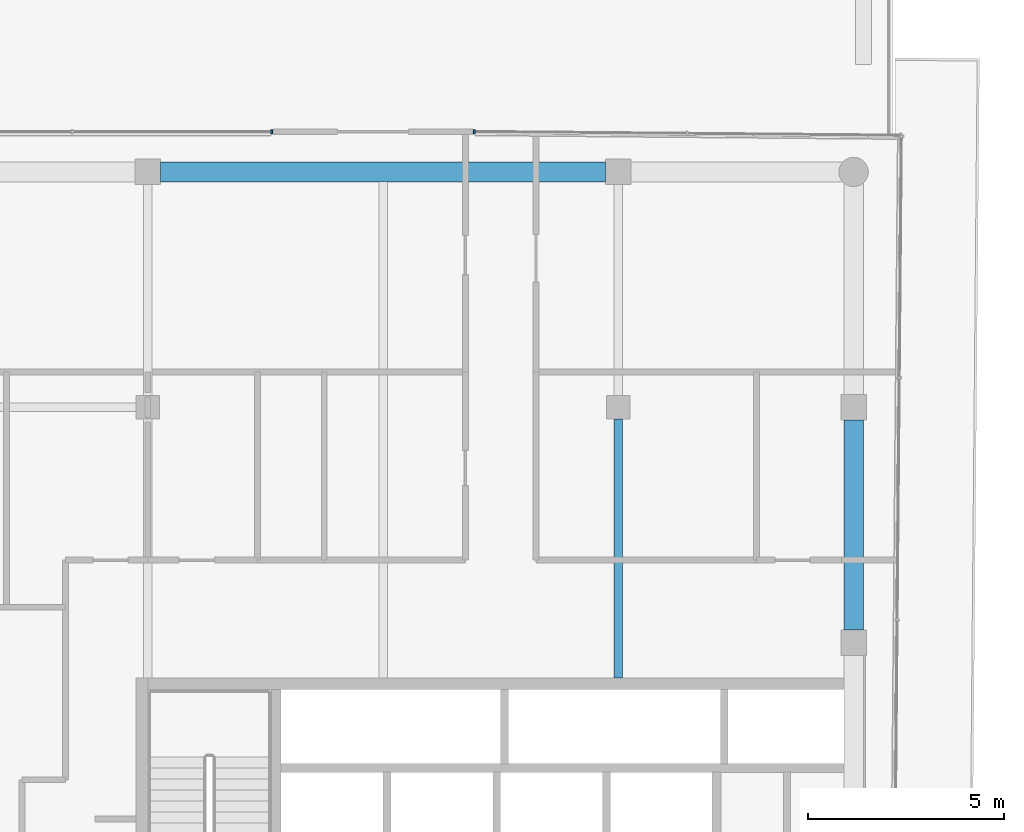
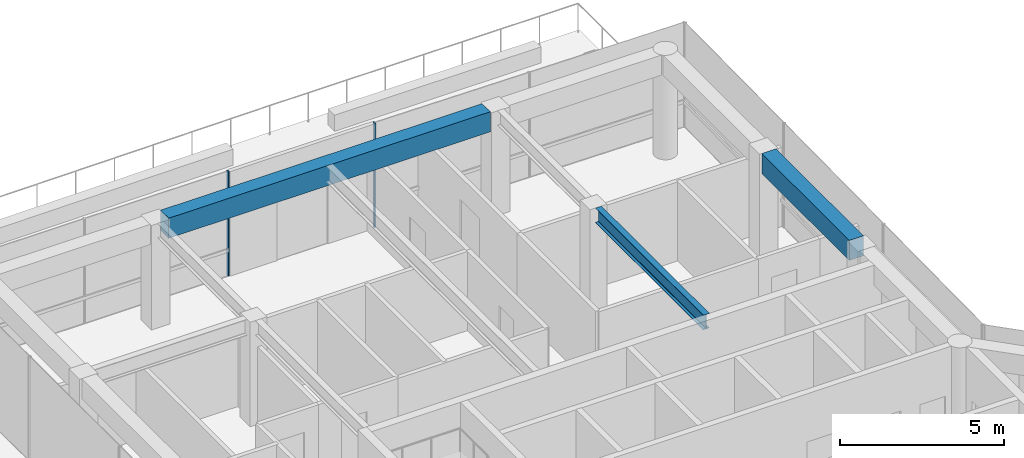
# One storey, part 10 of 17: 3 beams, 2 members, 2 elements without a shape of their own.
"""IFC4 building model written with IfcOpenShell, lengths in metres."""

from ifc_helpers import new_model, si_unit, direction, frame, origin, origin_2d, place, context, subcontext, project, spatial, rectangle, i_section, extrude, material, layer, layer_set, material_profile, profile_set, type_object, element, aggregate, save


model = new_model("IFC4")

# Units and contexts
model_context = context("Model", 3, precision=1e-05, world=origin(), true_north=direction((0.0, 1.0)))
body_context = subcontext(model_context, "Body", "Model", "MODEL_VIEW")
ifc_project = project(units=[si_unit("LENGTHUNIT", "METRE"), si_unit("AREAUNIT", "SQUARE_METRE"), si_unit("VOLUMEUNIT", "CUBIC_METRE"), si_unit("PLANEANGLEUNIT", "RADIAN"), si_unit("MASSUNIT", "GRAM", prefix="KILO")], contexts=[model_context])

# Site, building, storey
site_placement = place(None, origin())
site = spatial("IfcSite", under=ifc_project, at=site_placement, CompositionType="ELEMENT")
building_placement = place(site_placement, origin())
building = spatial("IfcBuilding", under=site, at=building_placement, Name="Welwitschia Terrace Campus", CompositionType="ELEMENT")
storey_placement = place(building_placement, frame((0.0, 0.0, 335.60009765625)))
storey = spatial("IfcBuildingStorey", under=building, at=storey_placement, Name="L75", CompositionType="ELEMENT", Elevation=335.60009765625)

# Beam
ifc_material_1 = material(Name="Steel S355", Category="steel")
ifc_material_profile_1 = material_profile(ifc_material_1, i_section(OverallWidth=0.2099609375, OverallDepth=0.550048828125, WebThickness=0.010986328125, FlangeThickness=0.01708984375, FilletRadius=0.02392578125, at=origin_2d()))
ifc_profile_set_1 = profile_set([ifc_material_profile_1], Name="Steel S355")
beam_type_1 = type_object("IfcBeamType", Name="Interior girder IPE 550", PredefinedType="BEAM", material=ifc_profile_set_1)
beam_1_placement = place(storey_placement, frame((18.0, 25.10107421875, 3.625), z_axis=(0.0, 1.0, 0.0), x_axis=(-1.0, 0.0, 0.0)))
element("IfcBeam", 1, at=beam_1_placement, inside=storey, type_object=beam_type_1, Name="Girder GB7", PredefinedType="BEAM", context=body_context, shape_type="SweptSolid", body=[
    extrude(i_section(OverallWidth=0.2099609375, OverallDepth=0.550048828125, WebThickness=0.010986328125, FlangeThickness=0.01708984375, FilletRadius=0.02392578125, at=origin_2d()), origin(), (0.0, 0.0, 1.0), 6.598388671875),
])

# Curtain wall, member
ifc_material_2 = material(Name="Bronze anodised aluminium", Category="aluminium")
ifc_layer = layer(ifc_material_2, 0.10009765625)
ifc_layer_set = layer_set([ifc_layer], Name="Bronze anodised aluminium")
curtain_wall_type = type_object("IfcCurtainWallType", Name="Curtain wall CW5 crown 6000", PredefinedType="NOTDEFINED", material=ifc_layer_set)
curtain_wall_1_placement = place(storey_placement, origin())
curtain_wall_1 = element("IfcCurtainWall", 2, at=curtain_wall_1_placement, inside=storey, type_object=curtain_wall_type, Name="CW L75.0.1", PredefinedType="NOTDEFINED")
ifc_material_3 = material(Name="Bronze anodised aluminium", Category="aluminium")
ifc_material_profile_2 = material_profile(ifc_material_3, rectangle(XDim=0.10009765625, YDim=0.050048828125, at=origin_2d()))
ifc_profile_set_2 = profile_set([ifc_material_profile_2], Name="Bronze anodised aluminium")
member_type = type_object("IfcMemberType", Name="Mullion 50x100", PredefinedType="MULLION", material=ifc_profile_set_2)
member_1_placement = place(storey_placement, frame((9.162841796875, 39.030029296875, 0.0), z_axis=(0.0, 0.0, 1.0), x_axis=(0.0, -1.0, 0.0)))
member_1 = element("IfcMember", 3, at=member_1_placement, type_object=member_type, Name="Mullion L75.0.1.0", PredefinedType="MULLION", context=body_context, shape_type="SweptSolid", body=[
    extrude(rectangle(XDim=0.10009765625, YDim=0.050048828125, at=origin_2d()), origin(), (0.0, 0.0, 1.0), 3.89990234375),
])
aggregate(curtain_wall_1, [member_1])

curtain_wall_2_placement = place(storey_placement, origin())
curtain_wall_2 = element("IfcCurtainWall", 4, at=curtain_wall_2_placement, inside=storey, type_object=curtain_wall_type, Name="CW L75.9.0", PredefinedType="NOTDEFINED")
member_2_placement = place(storey_placement, frame((14.32177734375, 39.02978515625, 0.0), z_axis=(0.0, 0.0, 1.0), x_axis=(-0.008726535498, -0.999961923064, 0.0)))
member_2 = element("IfcMember", 5, at=member_2_placement, type_object=member_type, Name="Mullion L75.9.0.2", PredefinedType="MULLION", context=body_context, shape_type="SweptSolid", body=[
    extrude(rectangle(XDim=0.10009765625, YDim=0.050048828125, at=origin_2d()), origin(), (0.0, 0.0, 1.0), 3.89990234375),
])
aggregate(curtain_wall_2, [member_2])

# Beams
ifc_material_4 = material(Name="Concrete C40/50", Category="concrete")
ifc_material_profile_3 = material_profile(ifc_material_4, rectangle(XDim=0.5, YDim=0.75, at=origin_2d()))
ifc_profile_set_3 = profile_set([ifc_material_profile_3], Name="Concrete C40/50")
beam_type_2 = type_object("IfcBeamType", Name="Ring spandrel 500x750", PredefinedType="SPANDREL", material=ifc_profile_set_3)
beam_2_placement = place(storey_placement, frame((24.0, 26.325439453125, 3.52490234375), z_axis=(0.0, 1.0, 0.0), x_axis=(-1.0, 0.0, 0.0)))
element("IfcBeam", 6, at=beam_2_placement, inside=storey, type_object=beam_type_2, Name="Spandrel SP5", PredefinedType="SPANDREL", context=body_context, shape_type="SweptSolid", body=[
    extrude(rectangle(XDim=0.5, YDim=0.75, at=origin_2d()), origin(), (0.0, 0.0, 1.0), 5.34912109375),
])
beam_3_placement = place(storey_placement, frame((17.674560546875, 38.0, 3.52490234375), z_axis=(-1.0, 0.0, 0.0), x_axis=(0.0, -1.0, 0.0)))
element("IfcBeam", 7, at=beam_3_placement, inside=storey, type_object=beam_type_2, Name="Spandrel SP5", PredefinedType="SPANDREL", context=body_context, shape_type="SweptSolid", body=[
    extrude(rectangle(XDim=0.5, YDim=0.75, at=origin_2d()), origin(), (0.0, 0.0, 1.0), 11.34912109375),
])

save(model, "model.ifc")
